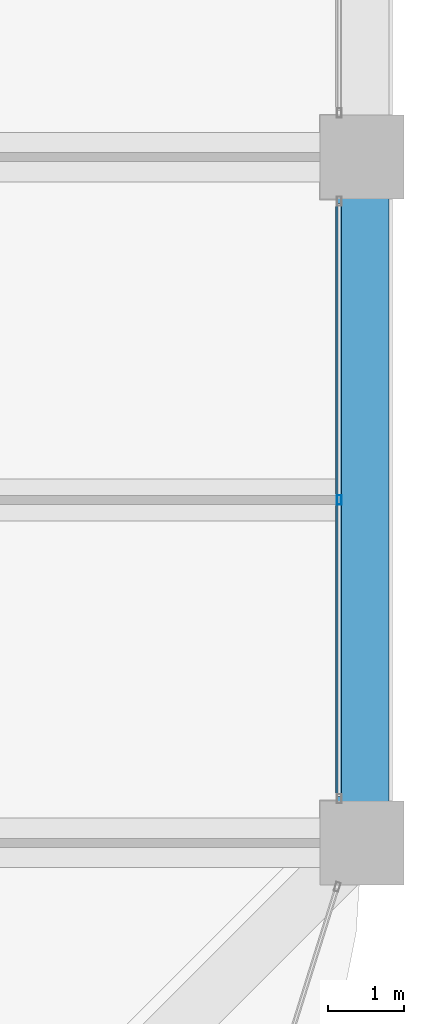
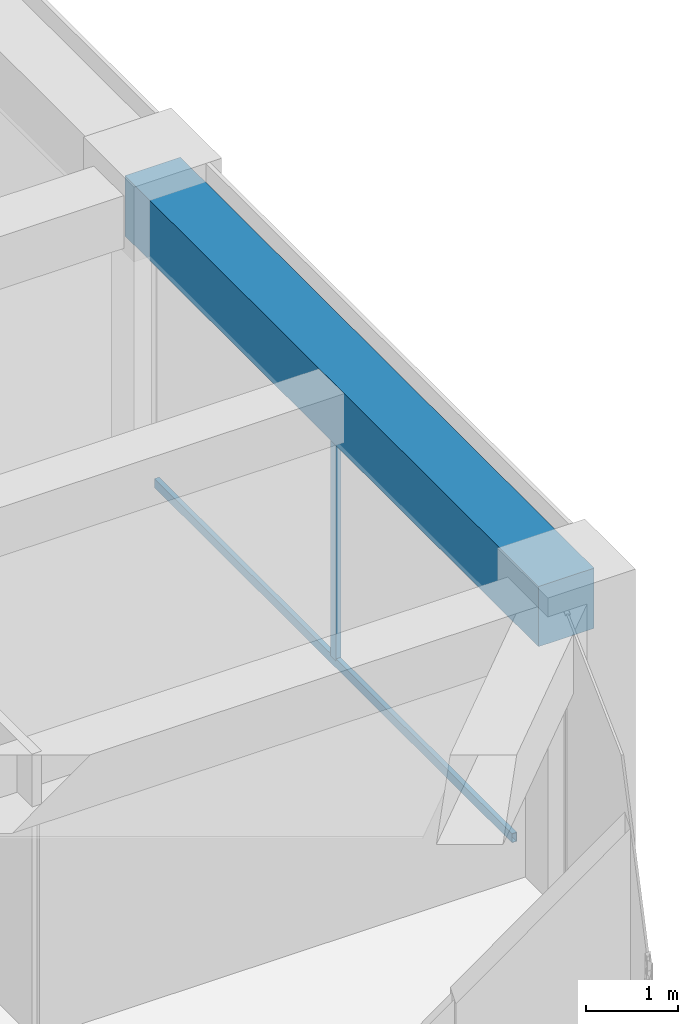
# One storey, part 23 of 45: 2 members, 1 beam, 1 element without a shape of its own.
"""IFC4 building model written with IfcOpenShell, lengths in metres."""

import ifcopenshell
import ifcopenshell.guid

model = None  # the IFC model being written
_history = None  # IfcOwnerHistory: only IFC2X3 demands one
_inside = {}  # id of a spatial element -> (the spatial element, [elements in it])
_under = {}  # id of a project, library or spatial element -> (it, [spatial elements below it])
_declared = {}  # id of a project -> (the project, [libraries it declares])
_typed = {}  # id of a type object -> (the type object, [elements of that type])
_made_of = {}  # id of a material, layer set ... -> (it, [elements and type objects made of it])


def new_model(schema):
    """Start an empty IFC model of exactly this schema.

    Asked for "IFC4X3", IfcOpenShell would pick the latest addendum, in which some entities
    have other attributes; the version numbers below select the first issue.
    IFC2X3 requires an IfcOwnerHistory on every rooted entity: one is made here for all.
    """
    global model, _history
    if schema == "IFC4X3":
        model = ifcopenshell.file(schema_version=(4, 3, 0, 0))
    else:
        model = ifcopenshell.file(schema=schema)
    _inside.clear()
    _under.clear()
    _declared.clear()
    _typed.clear()
    _made_of.clear()
    _history = None
    if model.schema == "IFC2X3":
        org = make("IfcOrganization", Name="unknown")
        user = make(
            "IfcPersonAndOrganization",
            ThePerson=make("IfcPerson", FamilyName="unknown"),
            TheOrganization=org,
        )
        app = make(
            "IfcApplication",
            ApplicationDeveloper=org,
            Version="unknown",
            ApplicationFullName="unknown",
            ApplicationIdentifier="unknown",
        )
        _history = make(
            "IfcOwnerHistory",
            OwningUser=user,
            OwningApplication=app,
            ChangeAction="ADDED",
            CreationDate=0,
        )
    return model


def make(cls, **values):
    """One entity of the class cls with the attributes given. An attribute that is None is left unset."""
    return model.create_entity(
        cls, **{name: value for name, value in values.items() if value is not None}
    )


def rooted(cls, **values):
    """An entity with a GlobalId (a new one), such as an element, a storey or a relation."""
    return make(cls, GlobalId=ifcopenshell.guid.new(), OwnerHistory=_history, **values)


def si_unit(unit_type, name, prefix=None):
    """IfcSIUnit, for example si_unit("LENGTHUNIT", "METRE", prefix="MILLI")."""
    return make("IfcSIUnit", UnitType=unit_type, Prefix=prefix, Name=name)


def assignment(units):
    """IfcUnitAssignment: the units of a project."""
    return None if units is None else make("IfcUnitAssignment", Units=units)


def point(xyz):
    """IfcCartesianPoint."""
    return None if xyz is None else make("IfcCartesianPoint", Coordinates=xyz)


def direction(xyz):
    """IfcDirection."""
    return None if xyz is None else make("IfcDirection", DirectionRatios=xyz)


def frame(location, z_axis=None, x_axis=None):
    """IfcAxis2Placement3D, a coordinate frame: its origin and axes. An axis left out is left unset."""
    return make(
        "IfcAxis2Placement3D",
        Location=point(location),
        Axis=direction(z_axis),
        RefDirection=direction(x_axis),
    )


def frame_2d(location, x_axis=None):
    """IfcAxis2Placement2D, a coordinate frame in the plane: its origin and x axis."""
    return make(
        "IfcAxis2Placement2D", Location=point(location), RefDirection=direction(x_axis)
    )


def origin():
    """The frame at (0, 0, 0) with its axes left unset."""
    return frame((0.0, 0.0, 0.0))


def origin_2d():
    """The frame at (0, 0) in the plane with its x axis left unset."""
    return frame_2d((0.0, 0.0))


def place(relative_to, where):
    """IfcLocalPlacement: puts the frame where relative to a parent placement (None: the world)."""
    return make(
        "IfcLocalPlacement", PlacementRelTo=relative_to, RelativePlacement=where
    )


def context(
    kind, dimensions, precision=None, world=None, true_north=None, identifier=None
):
    """IfcGeometricRepresentationContext, for example the 3D "Model" context."""
    return make(
        "IfcGeometricRepresentationContext",
        ContextIdentifier=identifier,
        ContextType=kind,
        CoordinateSpaceDimension=dimensions,
        Precision=precision,
        WorldCoordinateSystem=world,
        TrueNorth=true_north,
    )


def subcontext(parent, identifier, kind, view, scale=None):
    """IfcGeometricRepresentationSubContext, for example "Body" below "Model"."""
    return make(
        "IfcGeometricRepresentationSubContext",
        ContextIdentifier=identifier,
        ContextType=kind,
        ParentContext=parent,
        TargetScale=scale,
        TargetView=view,
    )


def project(units=None, contexts=None):
    """IfcProject with its units and contexts."""
    return rooted(
        "IfcProject",
        Name="project",
        RepresentationContexts=contexts,
        UnitsInContext=assignment(units),
    )


def spatial(cls, under=None, at=None, **own):
    """A site, building, storey or space (cls), placed at a placement, below another one or the project."""
    s = rooted(cls, ObjectPlacement=at, **own)
    if under is not None:
        _under.setdefault(under.id(), (under, []))[1].append(s)
    return s


def profile(cls, at=None, kind="AREA", **sizes):
    """A parametric profile (cls). Its sizes go by their IFC names, for example OverallWidth=200.0."""
    return make(cls, ProfileType=kind, Position=at, **sizes)


def rectangle(**sizes):
    """IfcRectangleProfileDef."""
    return profile("IfcRectangleProfileDef", **sizes)


def hollow_rectangle(**sizes):
    """IfcRectangleHollowProfileDef."""
    return profile("IfcRectangleHollowProfileDef", **sizes)


def extrude(swept, where, along, depth):
    """IfcExtrudedAreaSolid: the profile swept, set in the frame where, extruded along a direction by depth."""
    return make(
        "IfcExtrudedAreaSolid",
        SweptArea=swept,
        Position=where,
        ExtrudedDirection=direction(along),
        Depth=depth,
    )


def shape(context_of_items, identifier, shape_type, items):
    """IfcShapeRepresentation: the items that make up one representation, for example the "Body"."""
    return make(
        "IfcShapeRepresentation",
        ContextOfItems=context_of_items,
        RepresentationIdentifier=identifier,
        RepresentationType=shape_type,
        Items=items,
    )


def material(Name=None, Category=None):
    """IfcMaterial."""
    return make("IfcMaterial", Name=Name, Category=Category)


def material_profile(
    of_material, cross_section, Name=None, Category=None, Priority=None
):
    """IfcMaterialProfile: a cross section and its material."""
    return make(
        "IfcMaterialProfile",
        Name=Name,
        Material=of_material,
        Profile=cross_section,
        Priority=Priority,
        Category=Category,
    )


def profile_set(profiles, Name=None, composite=None):
    """IfcMaterialProfileSet."""
    return make(
        "IfcMaterialProfileSet",
        Name=Name,
        MaterialProfiles=profiles,
        CompositeProfile=composite,
    )


def made_of(thing, what):
    """Note that an element or type object is made of a material, layer set ...; save() writes the relation."""
    if what is not None:
        _made_of.setdefault(what.id(), (what, []))[1].append(thing)
    return thing


def type_object(cls, material=None, **own):
    """A type object (cls), such as IfcWallType, which elements share."""
    return made_of(rooted(cls, **own), material)


def element(
    cls,
    number,
    at=None,
    inside=None,
    cuts=None,
    type_object=None,
    material=None,
    context=None,
    identifier="Body",
    shape_type=None,
    held_by="IfcProductDefinitionShape",
    body=None,
    shapes=None,
    **own,
):
    """One element of the class cls, such as IfcWall. Its Tag is "e" and its number.

    at: its placement. inside: the storey or other place that contains it. cuts: it is an
    opening in that element (IfcRelVoidsElement). A single representation is given by context,
    identifier, shape_type and body (its items); several are given by shapes. held_by: the class
    of the entity that holds the representations. save() writes the other relations.
    """
    e = rooted(cls, Tag="e%d" % number, ObjectPlacement=at, **own)
    if body is not None:
        shapes = [shape(context, identifier, shape_type, body)]
    if shapes is not None:
        e.Representation = make(held_by, Representations=shapes)
    if inside is not None:
        _inside.setdefault(inside.id(), (inside, []))[1].append(e)
    if cuts is not None:
        rooted(
            "IfcRelVoidsElement", RelatingBuildingElement=cuts, RelatedOpeningElement=e
        )
    if type_object is not None:
        _typed.setdefault(type_object.id(), (type_object, []))[1].append(e)
    return made_of(e, material)


def aggregate(whole, parts):
    """IfcRelAggregates: a whole, such as a stair, and the parts it consists of."""
    return rooted("IfcRelAggregates", RelatingObject=whole, RelatedObjects=parts)


def save(model, path):
    """Write the relations noted so far, then the file.

    IfcRelAggregates (storeys below a building ...), IfcRelContainedInSpatialStructure (elements
    in a storey), IfcRelDefinesByType, IfcRelAssociatesMaterial and IfcRelDeclares: one each for
    every whole, place, type object, material and project.
    """
    for whole, parts in _under.values():
        aggregate(whole, parts)
    for where, things in _inside.values():
        rooted(
            "IfcRelContainedInSpatialStructure",
            RelatedElements=things,
            RelatingStructure=where,
        )
    for kind, things in _typed.values():
        rooted("IfcRelDefinesByType", RelatedObjects=things, RelatingType=kind)
    for what, things in _made_of.values():
        rooted("IfcRelAssociatesMaterial", RelatedObjects=things, RelatingMaterial=what)
    for by, libraries in _declared.values():
        rooted("IfcRelDeclares", RelatingContext=by, RelatedDefinitions=libraries)
    model.write(path)


model = new_model("IFC4")

# Units and contexts
model_context = context("Model", 3, precision=1e-05, world=origin(), true_north=direction((0.0, 1.0)))
body_context = subcontext(model_context, "Body", "Model", "MODEL_VIEW")
ifc_project = project(units=[si_unit("LENGTHUNIT", "METRE"), si_unit("AREAUNIT", "SQUARE_METRE"), si_unit("VOLUMEUNIT", "CUBIC_METRE"), si_unit("PLANEANGLEUNIT", "RADIAN"), si_unit("MASSUNIT", "GRAM", prefix="KILO")], contexts=[model_context])

# Site, building, storey
site_placement = place(None, origin())
site = spatial("IfcSite", under=ifc_project, at=site_placement, CompositionType="ELEMENT")
building_placement = place(site_placement, origin())
building = spatial("IfcBuilding", under=site, at=building_placement, Name="Zorevar Civic Tower", CompositionType="ELEMENT")
storey_placement = place(building_placement, frame((0.0, 0.0, 279.39990234375)))
storey = spatial("IfcBuildingStorey", under=building, at=storey_placement, Name="L68", CompositionType="ELEMENT", Elevation=279.39990234375)

# Curtain wall, members
ifc_material_1 = material(Name="Dark grey solar-control glass in black aluminium frame", Category="aluminium")
curtain_wall_type = type_object("IfcCurtainWallType", Name="Curtain wall CW5 top zone", PredefinedType="NOTDEFINED", material=ifc_material_1)
curtain_wall_placement = place(storey_placement, origin())
curtain_wall = element("IfcCurtainWall", 1, at=curtain_wall_placement, inside=storey, type_object=curtain_wall_type, Name="CW5 L68", PredefinedType="NOTDEFINED")
ifc_material_2 = material(Name="Aluminium, black anodised", Category="aluminium")
ifc_material_profile_1 = material_profile(ifc_material_2, hollow_rectangle(XDim=0.06005859375, YDim=0.1201171875, WallThickness=0.0029296875, at=origin_2d()), Name="AL 120x60x3")
ifc_profile_set_1 = profile_set([ifc_material_profile_1], Name="Aluminium, black anodised")
member_type_1 = type_object("IfcMemberType", Name="CW5 mullion AL 120x60x3", PredefinedType="MULLION", material=ifc_profile_set_1)
member_1_placement = place(storey_placement, frame((53.699951171875, 13.5, 0.06005859375), z_axis=(0.0, 0.0, 1.0), x_axis=(-1.0, 0.0, 0.0)))
member_1 = element("IfcMember", 2, at=member_1_placement, type_object=member_type_1, Name="CW5 mullion 2", PredefinedType="MULLION", context=body_context, shape_type="SweptSolid", body=[
    extrude(hollow_rectangle(XDim=0.06005859375, YDim=0.1201171875, WallThickness=0.0029296875, at=origin_2d()), origin(), (0.0, 0.0, 1.0), 2.89013671875),
])
ifc_material_3 = material(Name="Aluminium, black anodised", Category="aluminium")
ifc_material_profile_2 = material_profile(ifc_material_3, hollow_rectangle(XDim=0.06005859375, YDim=0.1201171875, WallThickness=0.0029296875, at=origin_2d()), Name="AL 120x60x3")
ifc_profile_set_2 = profile_set([ifc_material_profile_2], Name="Aluminium, black anodised")
member_type_2 = type_object("IfcMemberType", Name="CW5 transom AL 120x60x3", PredefinedType="USERDEFINED", material=ifc_profile_set_2)
member_2_placement = place(storey_placement, frame((53.699951171875, 9.610107421875, 0.030029296875), z_axis=(0.0, 1.0, 0.0), x_axis=(-1.0, 0.0, 0.0)))
member_2 = element("IfcMember", 3, at=member_2_placement, type_object=member_type_2, Name="CW5 sill transom", ObjectType="TRANSOM", PredefinedType="USERDEFINED", context=body_context, shape_type="SweptSolid", body=[
    extrude(hollow_rectangle(XDim=0.06005859375, YDim=0.1201171875, WallThickness=0.0029296875, at=origin_2d()), origin(), (0.0, 0.0, 1.0), 7.77978515625),
])
aggregate(curtain_wall, [member_1, member_2])

# Beam
ifc_material_4 = material(Name="Concrete C50/60", Category="concrete")
ifc_material_profile_3 = material_profile(ifc_material_4, rectangle(XDim=0.699951171875, YDim=0.800048828125, at=origin_2d()), Name="RC 700x800")
ifc_profile_set_3 = profile_set([ifc_material_profile_3], Name="Concrete C50/60")
beam_type = type_object("IfcBeamType", Name="Edge beam RC 700x800", PredefinedType="SPANDREL", material=ifc_profile_set_3)
beam_placement = place(storey_placement, frame((54.0, 9.0, 3.35009765625), z_axis=(0.0, 1.0, 0.0), x_axis=(-1.0, 0.0, 0.0)))
element("IfcBeam", 4, at=beam_placement, inside=storey, type_object=beam_type, Name="Edge beam L69", PredefinedType="SPANDREL", context=body_context, shape_type="SweptSolid", body=[
    extrude(rectangle(XDim=0.699951171875, YDim=0.800048828125, at=origin_2d()), origin(), (0.0, 0.0, 1.0), 9.0),
])

save(model, "model.ifc")
